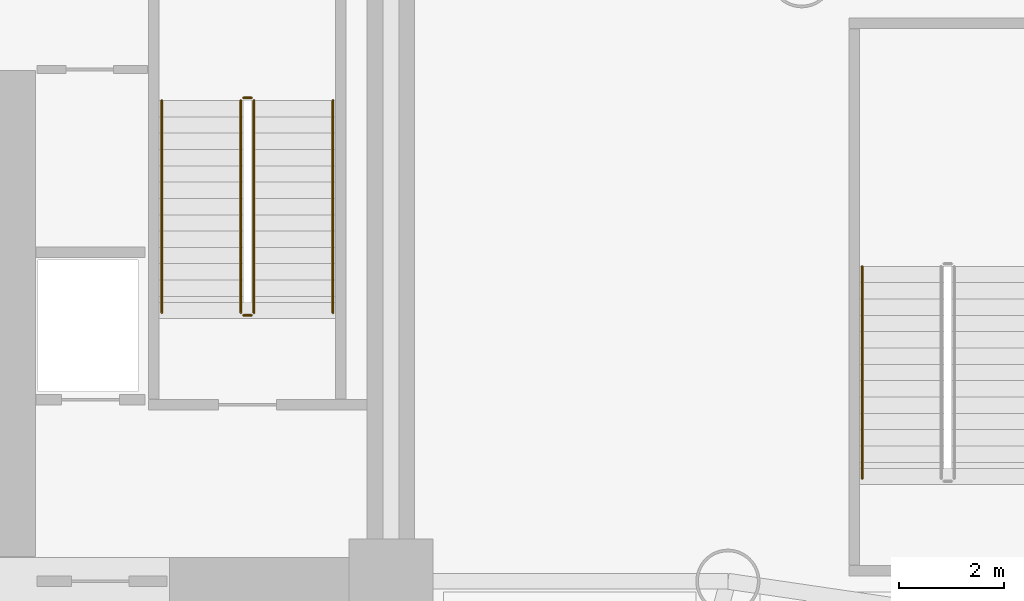
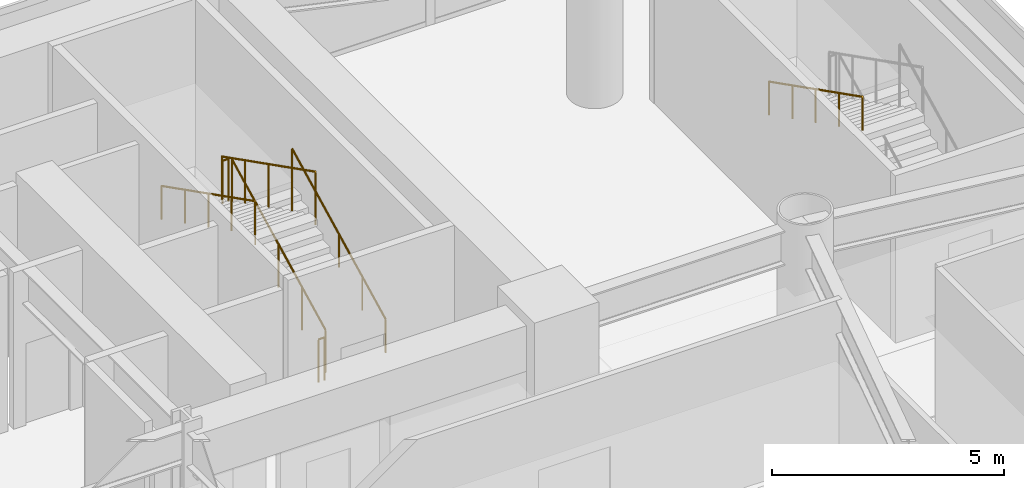
# One storey, part 22 of 24: 7 railings.
"""IFC4 building model written with IfcOpenShell, lengths in metres."""

from ifc_helpers import new_model, si_unit, direction, frame, origin, origin_2d, place, context, subcontext, project, spatial, circle, extrude, material, type_object, element, save


model = new_model("IFC4")

# Units and contexts
model_context = context("Model", 3, precision=1e-05, world=origin(), true_north=direction((0.0, 1.0)))
body_context = subcontext(model_context, "Body", "Model", "MODEL_VIEW")
ifc_project = project(units=[si_unit("LENGTHUNIT", "METRE"), si_unit("AREAUNIT", "SQUARE_METRE"), si_unit("VOLUMEUNIT", "CUBIC_METRE"), si_unit("PLANEANGLEUNIT", "RADIAN"), si_unit("MASSUNIT", "GRAM", prefix="KILO")], contexts=[model_context])

# Site, building, storey
site_placement = place(None, origin())
site = spatial("IfcSite", under=ifc_project, at=site_placement, CompositionType="ELEMENT")
building_placement = place(site_placement, origin())
building = spatial("IfcBuilding", under=site, at=building_placement, Name="Vaeldorn Concourse Tower", CompositionType="ELEMENT")
storey_placement = place(building_placement, frame((0.0, 0.0, 5.60009765625)))
storey = spatial("IfcBuildingStorey", under=building, at=storey_placement, Name="L01", CompositionType="ELEMENT", Elevation=5.60009765625)

# Railings
ifc_material = material(Name="Anodised Bronze Aluminium", Category="aluminium")
railing_type_1 = type_object("IfcRailingType", Name="RL-STAIR-GUARD", PredefinedType="GUARDRAIL", material=ifc_material)
railing_1_placement = place(storey_placement, frame((51.39990234375, 41.60009765625, 0.156982421875)))
element("IfcRailing", 1, at=railing_1_placement, inside=storey, type_object=railing_type_1, Name="L01 ST-2 stair guard 1", PredefinedType="GUARDRAIL", context=body_context, shape_type="SweptSolid", body=[
    extrude(circle(Radius=0.02392578125, at=origin_2d()), frame((0.0, 0.0, 1.1259765625), z_axis=(0.0, 0.891927692675, 0.452178052363), x_axis=(-1.0, 0.0, 0.0)), (0.0, 0.0, 1.0), 4.51806640625),
    extrude(circle(Radius=0.02099609375, at=origin_2d()), origin(), (0.0, 0.0, 1.0), 1.101806640625),
    extrude(circle(Radius=0.02099609375, at=origin_2d()), frame((0.0, 1.00732421875, 0.5107421875)), (0.0, 0.0, 1.0), 1.101806640625),
    extrude(circle(Radius=0.02099609375, at=origin_2d()), frame((0.0, 2.014892578125, 1.021484375)), (0.0, 0.0, 1.0), 1.101806640625),
    extrude(circle(Radius=0.02099609375, at=origin_2d()), frame((0.0, 3.0224609375, 1.5322265625)), (0.0, 0.0, 1.0), 1.101806640625),
    extrude(circle(Radius=0.02099609375, at=origin_2d()), frame((0.0, 4.02978515625, 2.04296875)), (0.0, 0.0, 1.0), 1.101806640625),
])
railing_2_placement = place(storey_placement, frame((51.35009765625, 45.679931640625, 2.199951171875)))
element("IfcRailing", 2, at=railing_2_placement, inside=storey, type_object=railing_type_1, Name="L01 ST-2 stair guard 2", PredefinedType="GUARDRAIL", context=body_context, shape_type="SweptSolid", body=[
    extrude(circle(Radius=0.02392578125, at=origin_2d()), frame((0.0, 0.0, 1.1259765625), z_axis=(-1.0, 0.0, 0.0), x_axis=(0.0, -1.0, 0.0)), (0.0, 0.0, 1.0), 0.150146484375),
    extrude(circle(Radius=0.02099609375, at=origin_2d()), origin(), (0.0, 0.0, 1.0), 1.101806640625),
    extrude(circle(Radius=0.02099609375, at=origin_2d()), frame((-0.150146484375, 0.0, 0.0)), (0.0, 0.0, 1.0), 1.101806640625),
])
railing_3_placement = place(storey_placement, frame((51.14990234375, 45.6298828125, 2.35693359375)))
element("IfcRailing", 3, at=railing_3_placement, inside=storey, type_object=railing_type_1, Name="L01 ST-2 stair guard 3", PredefinedType="GUARDRAIL", context=body_context, shape_type="SweptSolid", body=[
    extrude(circle(Radius=0.02392578125, at=origin_2d()), frame((0.0, 0.0, 1.1259765625), z_axis=(0.0, -0.891927692675, 0.452178052363), x_axis=(1.0, 0.0, 0.0)), (0.0, 0.0, 1.0), 4.51806640625),
    extrude(circle(Radius=0.02099609375, at=origin_2d()), origin(), (0.0, 0.0, 1.0), 1.101806640625),
    extrude(circle(Radius=0.02099609375, at=origin_2d()), frame((0.0, -1.00732421875, 0.5107421875)), (0.0, 0.0, 1.0), 1.101806640625),
    extrude(circle(Radius=0.02099609375, at=origin_2d()), frame((0.0, -2.014892578125, 1.021484375)), (0.0, 0.0, 1.0), 1.101806640625),
    extrude(circle(Radius=0.02099609375, at=origin_2d()), frame((0.0, -3.0224609375, 1.5322265625)), (0.0, 0.0, 1.0), 1.101806640625),
    extrude(circle(Radius=0.02099609375, at=origin_2d()), frame((0.0, -4.02978515625, 2.04296875)), (0.0, 0.0, 1.0), 1.101806640625),
])
railing_4_placement = place(storey_placement, frame((51.35009765625, 41.550048828125, 0.0)))
element("IfcRailing", 4, at=railing_4_placement, inside=storey, type_object=railing_type_1, Name="L01 ST-2 stair guard 4", PredefinedType="GUARDRAIL", context=body_context, shape_type="SweptSolid", body=[
    extrude(circle(Radius=0.02392578125, at=origin_2d()), frame((0.0, 0.0, 1.1259765625), z_axis=(-1.0, 0.0, 0.0), x_axis=(0.0, -1.0, 0.0)), (0.0, 0.0, 1.0), 0.150146484375),
    extrude(circle(Radius=0.02099609375, at=origin_2d()), origin(), (0.0, 0.0, 1.0), 1.101806640625),
    extrude(circle(Radius=0.02099609375, at=origin_2d()), frame((-0.150146484375, 0.0, 0.0)), (0.0, 0.0, 1.0), 1.101806640625),
])
railing_type_2 = type_object("IfcRailingType", Name="RL-STAIR-HANDRAIL", PredefinedType="HANDRAIL", material=ifc_material)
railing_5_placement = place(storey_placement, frame((52.89990234375, 41.60009765625, 0.156982421875)))
element("IfcRailing", 5, at=railing_5_placement, inside=storey, type_object=railing_type_2, Name="L01 ST-2 stair handrail 1", PredefinedType="HANDRAIL", context=body_context, shape_type="SweptSolid", body=[
    extrude(circle(Radius=0.02392578125, at=origin_2d()), frame((0.0, 0.0, 0.8759765625), z_axis=(0.0, 0.891927692675, 0.452178052363), x_axis=(-1.0, 0.0, 0.0)), (0.0, 0.0, 1.0), 4.51806640625),
    extrude(circle(Radius=0.02099609375, at=origin_2d()), origin(), (0.0, 0.0, 1.0), 0.851806640625),
    extrude(circle(Radius=0.02099609375, at=origin_2d()), frame((0.0, 1.00732421875, 0.5107421875)), (0.0, 0.0, 1.0), 0.851806640625),
    extrude(circle(Radius=0.02099609375, at=origin_2d()), frame((0.0, 2.014892578125, 1.021484375)), (0.0, 0.0, 1.0), 0.851806640625),
    extrude(circle(Radius=0.02099609375, at=origin_2d()), frame((0.0, 3.0224609375, 1.5322265625)), (0.0, 0.0, 1.0), 0.851806640625),
    extrude(circle(Radius=0.02099609375, at=origin_2d()), frame((0.0, 4.02978515625, 2.04296875)), (0.0, 0.0, 1.0), 0.851806640625),
])
railing_6_placement = place(storey_placement, frame((49.64990234375, 45.6298828125, 2.35693359375)))
element("IfcRailing", 6, at=railing_6_placement, inside=storey, type_object=railing_type_2, Name="L01 ST-2 stair handrail 2", PredefinedType="HANDRAIL", context=body_context, shape_type="SweptSolid", body=[
    extrude(circle(Radius=0.02392578125, at=origin_2d()), frame((0.0, 0.0, 0.8759765625), z_axis=(0.0, -0.891927692675, 0.452178052363), x_axis=(1.0, 0.0, 0.0)), (0.0, 0.0, 1.0), 4.51806640625),
    extrude(circle(Radius=0.02099609375, at=origin_2d()), origin(), (0.0, 0.0, 1.0), 0.851806640625),
    extrude(circle(Radius=0.02099609375, at=origin_2d()), frame((0.0, -1.00732421875, 0.5107421875)), (0.0, 0.0, 1.0), 0.851806640625),
    extrude(circle(Radius=0.02099609375, at=origin_2d()), frame((0.0, -2.014892578125, 1.021484375)), (0.0, 0.0, 1.0), 0.851806640625),
    extrude(circle(Radius=0.02099609375, at=origin_2d()), frame((0.0, -3.0224609375, 1.5322265625)), (0.0, 0.0, 1.0), 0.851806640625),
    extrude(circle(Radius=0.02099609375, at=origin_2d()), frame((0.0, -4.02978515625, 2.04296875)), (0.0, 0.0, 1.0), 0.851806640625),
])
railing_7_placement = place(storey_placement, frame((62.949951171875, 42.47998046875, 2.35693359375)))
element("IfcRailing", 7, at=railing_7_placement, inside=storey, type_object=railing_type_2, Name="L01 ST-4 stair handrail 2", PredefinedType="HANDRAIL", context=body_context, shape_type="SweptSolid", body=[
    extrude(circle(Radius=0.02392578125, at=origin_2d()), frame((0.0, 0.0, 0.8759765625), z_axis=(0.0, -0.891938740464, 0.452156259781), x_axis=(1.0, 0.0, 0.0)), (0.0, 0.0, 1.0), 4.518310546875),
    extrude(circle(Radius=0.02099609375, at=origin_2d()), origin(), (0.0, 0.0, 1.0), 0.851806640625),
    extrude(circle(Radius=0.02099609375, at=origin_2d()), frame((0.0, -1.007568359375, 0.5107421875)), (0.0, 0.0, 1.0), 0.851806640625),
    extrude(circle(Radius=0.02099609375, at=origin_2d()), frame((0.0, -2.01513671875, 1.021484375)), (0.0, 0.0, 1.0), 0.851806640625),
    extrude(circle(Radius=0.02099609375, at=origin_2d()), frame((0.0, -3.0224609375, 1.5322265625)), (0.0, 0.0, 1.0), 0.851806640625),
    extrude(circle(Radius=0.02099609375, at=origin_2d()), frame((0.0, -4.030029296875, 2.04296875)), (0.0, 0.0, 1.0), 0.851806640625),
])

save(model, "model.ifc")
